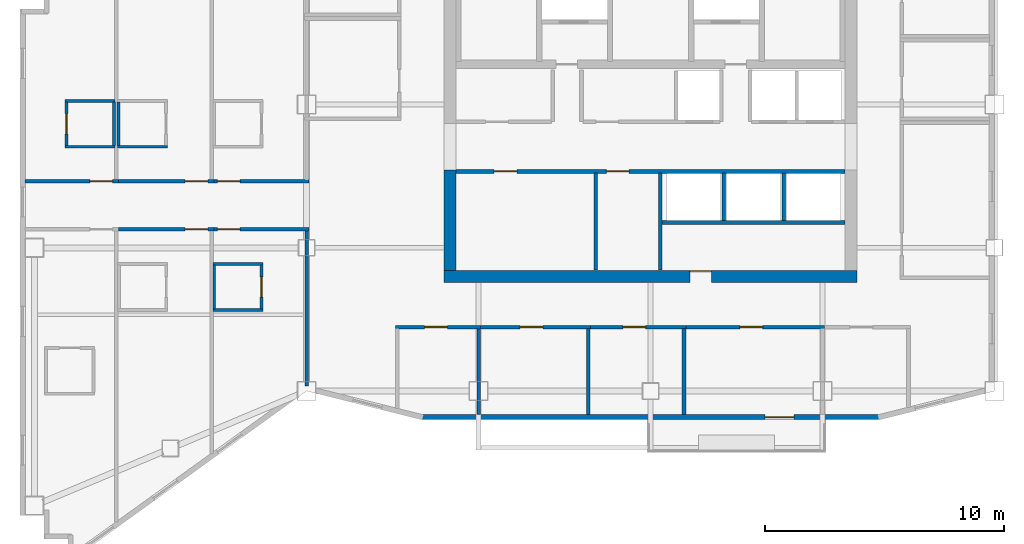
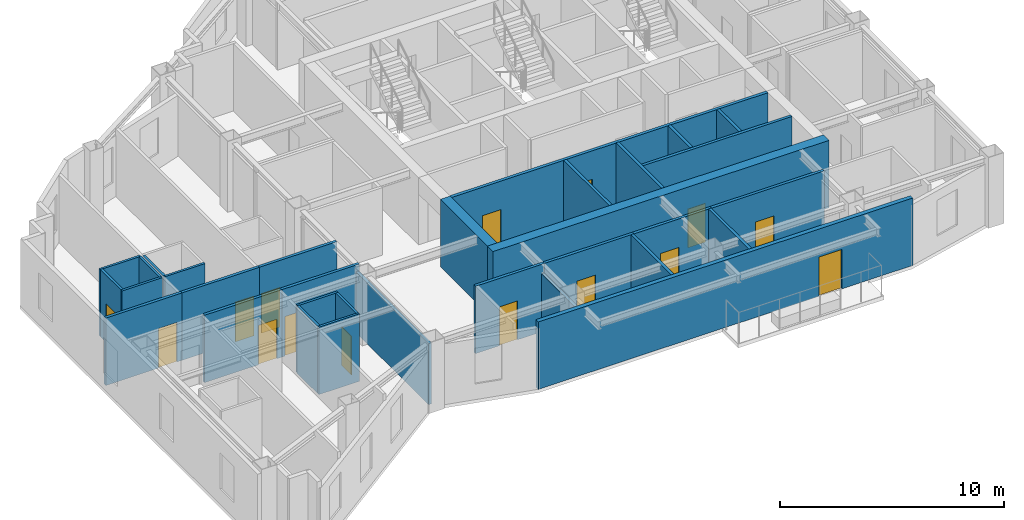
# One storey, part 5 of 10: 32 walls, 15 doors, 15 openings.
"""IFC4 building model written with IfcOpenShell, lengths in metres."""

from ifc_helpers import new_model, si_unit, direction, frame, frame_2d, origin, place, context, subcontext, project, spatial, rectangle, extrude, material, layer, layer_set, type_object, element, fill, save


model = new_model("IFC4")

# Units and contexts
model_context = context("Model", 3, precision=1e-05, world=origin(), true_north=direction((0.0, 1.0)))
body_context = subcontext(model_context, "Body", "Model", "MODEL_VIEW")
ifc_project = project(units=[si_unit("LENGTHUNIT", "METRE"), si_unit("AREAUNIT", "SQUARE_METRE"), si_unit("VOLUMEUNIT", "CUBIC_METRE"), si_unit("PLANEANGLEUNIT", "RADIAN"), si_unit("MASSUNIT", "GRAM", prefix="KILO")], contexts=[model_context])

# Site, building, storey
site_placement = place(None, origin())
site = spatial("IfcSite", under=ifc_project, at=site_placement, CompositionType="ELEMENT")
building_placement = place(site_placement, origin())
building = spatial("IfcBuilding", under=site, at=building_placement, Name="Haolan Belvedere Tower", CompositionType="ELEMENT")
storey_placement = place(building_placement, frame((0.0, 0.0, 258.300048828125)))
storey = spatial("IfcBuildingStorey", under=building, at=storey_placement, Name="L65", CompositionType="ELEMENT", Elevation=258.300048828125)

# Wall, opening, door
ifc_material_1 = material(Name="Concrete C50/60", Category="concrete")
ifc_layer_1 = layer(ifc_material_1, 0.5, Name="Concrete C50/60")
ifc_layer_set_1 = layer_set([ifc_layer_1], Name="Concrete C50/60")
wall_type_1 = type_object("IfcWallType", Name="WL-CORE-500", PredefinedType="SHEAR", material=ifc_layer_set_1)
wall_1_placement = place(storey_placement, frame((29.75, 26.39990234375, 0.0), z_axis=(0.0, 0.0, 1.0), x_axis=(1.0, 0.0, 0.0)))
wall_1 = element("IfcWall", 1, at=wall_1_placement, inside=storey, type_object=wall_type_1, Name="L65 central core south shear wall", PredefinedType="SHEAR", context=body_context, shape_type="SweptSolid", body=[
    extrude(rectangle(XDim=17.300048828125, YDim=0.5, at=frame_2d((8.64990234375, 0.0))), origin(), (0.0, 0.0, 1.0), 3.669921875),
])
opening_1_placement = place(wall_1_placement, frame((11.199951171875, 0.0, 0.0), z_axis=(0.0, 0.0, 1.0), x_axis=(-1.0, 0.0, 0.0)))
opening_1 = element("IfcOpeningElement", 2, at=opening_1_placement, cuts=wall_1, Name="Opening FD-05", PredefinedType="OPENING", context=body_context, shape_type="SweptSolid", body=[
    extrude(rectangle(XDim=0.89990234375, YDim=2.10009765625, at=frame_2d((0.449951171875, 1.050048828125))), frame((0.0, 0.260009765625, 0.0), z_axis=(0.0, -1.0, 0.0), x_axis=(1.0, 0.0, 0.0)), (0.0, 0.0, 1.0), 0.52001953125),
])
ifc_material_2 = material(Name="Galvanised fire-rated steel", Category="steel")
door_type_1 = type_object("IfcDoorType", Name="DR-FD60-900", OperationType="NOTDEFINED", PredefinedType="DOOR", material=ifc_material_2)
door_1_placement = place(opening_1_placement, origin())
door_1 = element("IfcDoor", 3, at=door_1_placement, inside=storey, type_object=door_type_1, Name="L65 door CD-L65-SCVE", OperationType="SINGLE_SWING_RIGHT", OverallHeight=2.10009765625, OverallWidth=0.89990234375, PredefinedType="DOOR", context=body_context, shape_type="SweptSolid", body=[
    extrude(rectangle(XDim=0.89990234375, YDim=2.10009765625, at=frame_2d((0.449951171875, 1.050048828125))), frame((0.0, -0.19482421875, 0.0), z_axis=(0.0, -1.0, 0.0), x_axis=(1.0, 0.0, 0.0)), (0.0, 0.0, 1.0), 0.050048828125),
])
fill(opening_1, door_1)

# Wall
wall_2_placement = place(storey_placement, frame((30.0, 26.64990234375, 0.0), z_axis=(0.0, 0.0, 1.0), x_axis=(0.0, 1.0, 0.0)))
element("IfcWall", 4, at=wall_2_placement, inside=storey, type_object=wall_type_1, Name="L65 central core shear wall WS", PredefinedType="SHEAR", context=body_context, shape_type="SweptSolid", body=[
    extrude(rectangle(XDim=4.2001953125, YDim=0.5, at=frame_2d((2.10009765625, 0.0))), origin(), (0.0, 0.0, 1.0), 3.669921875),
])

# Wall, opening, door
ifc_material_3 = material(Name="Precast concrete C40/50", Category="concrete")
ifc_layer_2 = layer(ifc_material_3, 0.219970703125, Name="Precast concrete C40/50")
ifc_layer_set_2 = layer_set([ifc_layer_2], Name="Precast concrete C40/50")
wall_type_2 = type_object("IfcWallType", Name="WL-EXT-220", PredefinedType="SOLIDWALL", material=ifc_layer_set_2)
wall_3_placement = place(storey_placement, frame((28.758544921875, 20.510009765625, 0.0), z_axis=(0.0, 0.0, 1.0), x_axis=(1.0, 0.0, 0.0)))
wall_3 = element("IfcWall", 5, at=wall_3_placement, inside=storey, type_object=wall_type_2, Name="L65 pale-metal exterior spandrel wall 1.1", PredefinedType="SOLIDWALL", context=body_context, shape_type="SweptSolid", body=[
    extrude(rectangle(XDim=19.282958984375, YDim=0.219970703125, at=frame_2d((9.6416015625, 0.0))), origin(), (0.0, 0.0, 1.0), 3.669921875),
])
opening_2_placement = place(wall_3_placement, frame((15.641357421875, 0.0, 0.0), z_axis=(0.0, 0.0, 1.0), x_axis=(-1.0, 0.0, 0.0)))
opening_2 = element("IfcOpeningElement", 6, at=opening_2_placement, cuts=wall_3, Name="Opening BD-01", PredefinedType="OPENING", context=body_context, shape_type="SweptSolid", body=[
    extrude(rectangle(XDim=1.199951171875, YDim=2.14990234375, at=frame_2d((0.60009765625, 1.074951171875))), frame((0.0, 0.119873046875, 0.0), z_axis=(0.0, -1.0, 0.0), x_axis=(1.0, 0.0, 0.0)), (0.0, 0.0, 1.0), 0.239990234375),
])
ifc_material_4 = material(Name="Thermally broken pale-metal aluminium and Low-E glass", Category="aluminium")
door_type_2 = type_object("IfcDoorType", Name="DR-BAL-1200", OperationType="NOTDEFINED", PredefinedType="DOOR", material=ifc_material_4)
door_2_placement = place(opening_2_placement, origin())
door_2 = element("IfcDoor", 7, at=door_2_placement, inside=storey, type_object=door_type_2, Name="L65 tree-balcony access door 1", OperationType="SINGLE_SWING_LEFT", OverallHeight=2.14990234375, OverallWidth=1.199951171875, PredefinedType="DOOR", context=body_context, shape_type="SweptSolid", body=[
    extrude(rectangle(XDim=1.199951171875, YDim=2.14990234375, at=frame_2d((0.60009765625, 1.074951171875))), frame((0.0, 0.02490234375, 0.0), z_axis=(0.0, -1.0, 0.0), x_axis=(1.0, 0.0, 0.0)), (0.0, 0.0, 1.0), 0.050048828125),
])
fill(opening_2, door_2)

# Walls
ifc_material_5 = material(Name="Double gypsum acoustic stud partition", Category="masonry")
ifc_layer_3 = layer(ifc_material_5, 0.14990234375, Name="Double gypsum acoustic stud partition")
ifc_layer_set_3 = layer_set([ifc_layer_3], Name="Double gypsum acoustic stud partition")
wall_type_3 = type_object("IfcWallType", Name="WL-PART-150", PredefinedType="PARTITIONING", material=ifc_layer_set_3)
wall_4_placement = place(storey_placement, frame((36.10009765625, 26.659912109375, 0.0), z_axis=(0.0, 0.0, 1.0), x_axis=(0.0, 1.0, 0.0)))
element("IfcWall", 8, at=wall_4_placement, inside=storey, type_object=wall_type_3, Name="L65 interior partition IW-L65-DIV-REUSE-PM", PredefinedType="PARTITIONING", context=body_context, shape_type="SweptSolid", body=[
    extrude(rectangle(XDim=4.0751953125, YDim=0.14990234375, at=frame_2d((2.03759765625, 0.0))), origin(), (0.0, 0.0, 1.0), 3.669921875),
])
wall_5_placement = place(storey_placement, frame((38.860107421875, 28.659912109375, 0.0), z_axis=(0.0, 0.0, 1.0), x_axis=(1.0, 0.0, 0.0)))
element("IfcWall", 9, at=wall_5_placement, inside=storey, type_object=wall_type_3, Name="L65 interior partition IW-L65-SSTRIP-E", PredefinedType="PARTITIONING", context=body_context, shape_type="SweptSolid", body=[
    extrude(rectangle(XDim=7.68994140625, YDim=0.14990234375, at=frame_2d((3.844970703125, 0.0))), origin(), (0.0, 0.0, 1.0), 3.669921875),
])

# Wall, opening, door
wall_6_placement = place(storey_placement, frame((27.719970703125, 24.280029296875, 0.0), z_axis=(0.0, 0.0, 1.0), x_axis=(1.0, 0.0, 0.0)))
wall_6 = element("IfcWall", 10, at=wall_6_placement, inside=storey, type_object=wall_type_3, Name="L65 interior partition IW-L65-KS2-N", PredefinedType="PARTITIONING", context=body_context, shape_type="SweptSolid", body=[
    extrude(rectangle(XDim=3.56005859375, YDim=0.14990234375, at=frame_2d((1.780029296875, 0.0))), origin(), (0.0, 0.0, 1.0), 3.669921875),
])
opening_3_placement = place(wall_6_placement, frame((2.175048828125, 0.0, 0.0), z_axis=(0.0, 0.0, 1.0), x_axis=(-1.0, 0.0, 0.0)))
opening_3 = element("IfcOpeningElement", 11, at=opening_3_placement, cuts=wall_6, Name="Opening ID-03", PredefinedType="OPENING", context=body_context, shape_type="SweptSolid", body=[
    extrude(rectangle(XDim=0.949951171875, YDim=2.1201171875, at=frame_2d((0.47509765625, 1.06005859375))), frame((0.0, 0.0849609375, 0.0), z_axis=(0.0, -1.0, 0.0), x_axis=(1.0, 0.0, 0.0)), (0.0, 0.0, 1.0), 0.169921875),
])
ifc_material_6 = material(Name="Painted solid-core timber", Category="wood")
door_type_3 = type_object("IfcDoorType", Name="DR-INT-950", OperationType="NOTDEFINED", PredefinedType="DOOR", material=ifc_material_6)
door_3_placement = place(opening_3_placement, origin())
door_3 = element("IfcDoor", 12, at=door_3_placement, inside=storey, type_object=door_type_3, Name="L65 door ID-L65-KS2", OperationType="SINGLE_SWING_RIGHT", OverallHeight=2.1201171875, OverallWidth=0.949951171875, PredefinedType="DOOR", context=body_context, shape_type="SweptSolid", body=[
    extrude(rectangle(XDim=0.949951171875, YDim=2.1201171875, at=frame_2d((0.47509765625, 1.06005859375))), frame((0.0, 0.02490234375, 0.0), z_axis=(0.0, -1.0, 0.0), x_axis=(1.0, 0.0, 0.0)), (0.0, 0.0, 1.0), 0.050048828125),
])
fill(opening_3, door_3)

# Wall
wall_7_placement = place(storey_placement, frame((31.199951171875, 20.612060546875, 0.0), z_axis=(0.0, 0.0, 1.0), x_axis=(0.0, 1.0, 0.0)))
element("IfcWall", 13, at=wall_7_placement, inside=storey, type_object=wall_type_3, Name="L65 interior partition IW-L65-KS2-E", PredefinedType="PARTITIONING", context=body_context, shape_type="SweptSolid", body=[
    extrude(rectangle(XDim=3.60791015625, YDim=0.14990234375, at=frame_2d((1.803955078125, 0.0))), origin(), (0.0, 0.0, 1.0), 3.155029296875),
])

# Wall, opening, door
wall_8_placement = place(storey_placement, frame((31.281982421875, 24.280029296875, 0.0), z_axis=(0.0, 0.0, 1.0), x_axis=(1.0, 0.0, 0.0)))
wall_8 = element("IfcWall", 14, at=wall_8_placement, inside=storey, type_object=wall_type_3, Name="L65 interior partition IW-L65-KS3-N", PredefinedType="PARTITIONING", context=body_context, shape_type="SweptSolid", body=[
    extrude(rectangle(XDim=4.597900390625, YDim=0.14990234375, at=frame_2d((2.298828125, 0.0))), origin(), (0.0, 0.0, 1.0), 3.669921875),
])
opening_4_placement = place(wall_8_placement, frame((2.613037109375, 0.0, 0.0), z_axis=(0.0, 0.0, 1.0), x_axis=(-1.0, 0.0, 0.0)))
opening_4 = element("IfcOpeningElement", 15, at=opening_4_placement, cuts=wall_8, Name="Opening ID-03", PredefinedType="OPENING", context=body_context, shape_type="SweptSolid", body=[
    extrude(rectangle(XDim=0.949951171875, YDim=2.1201171875, at=frame_2d((0.47509765625, 1.06005859375))), frame((0.0, 0.0849609375, 0.0), z_axis=(0.0, -1.0, 0.0), x_axis=(1.0, 0.0, 0.0)), (0.0, 0.0, 1.0), 0.169921875),
])
door_4_placement = place(opening_4_placement, origin())
door_4 = element("IfcDoor", 16, at=door_4_placement, inside=storey, type_object=door_type_3, Name="L65 door ID-L65-KS3", OperationType="SINGLE_SWING_LEFT", OverallHeight=2.1201171875, OverallWidth=0.949951171875, PredefinedType="DOOR", context=body_context, shape_type="SweptSolid", body=[
    extrude(rectangle(XDim=0.949951171875, YDim=2.1201171875, at=frame_2d((0.47509765625, 1.06005859375))), frame((0.0, 0.02490234375, 0.0), z_axis=(0.0, -1.0, 0.0), x_axis=(1.0, 0.0, 0.0)), (0.0, 0.0, 1.0), 0.050048828125),
])
fill(opening_4, door_4)

# Wall
wall_9_placement = place(storey_placement, frame((35.800048828125, 20.612060546875, 0.0), z_axis=(0.0, 0.0, 1.0), x_axis=(0.0, 1.0, 0.0)))
element("IfcWall", 17, at=wall_9_placement, inside=storey, type_object=wall_type_3, Name="L65 interior partition IW-L65-KS3-E", PredefinedType="PARTITIONING", context=body_context, shape_type="SweptSolid", body=[
    extrude(rectangle(XDim=3.60791015625, YDim=0.14990234375, at=frame_2d((1.803955078125, 0.0))), origin(), (0.0, 0.0, 1.0), 3.669921875),
])

# Wall, opening, door
wall_10_placement = place(storey_placement, frame((35.882080078125, 24.280029296875, 0.0), z_axis=(0.0, 0.0, 1.0), x_axis=(1.0, 0.0, 0.0)))
wall_10 = element("IfcWall", 18, at=wall_10_placement, inside=storey, type_object=wall_type_3, Name="L65 interior partition IW-L65-KS4-N", PredefinedType="PARTITIONING", context=body_context, shape_type="SweptSolid", body=[
    extrude(rectangle(XDim=3.997802734375, YDim=0.14990234375, at=frame_2d((1.9990234375, 0.0))), origin(), (0.0, 0.0, 1.0), 3.669921875),
])
opening_5_placement = place(wall_10_placement, frame((2.31298828125, 0.0, 0.0), z_axis=(0.0, 0.0, 1.0), x_axis=(-1.0, 0.0, 0.0)))
opening_5 = element("IfcOpeningElement", 19, at=opening_5_placement, cuts=wall_10, Name="Opening ID-03", PredefinedType="OPENING", context=body_context, shape_type="SweptSolid", body=[
    extrude(rectangle(XDim=0.949951171875, YDim=2.1201171875, at=frame_2d((0.47509765625, 1.06005859375))), frame((0.0, 0.0849609375, 0.0), z_axis=(0.0, -1.0, 0.0), x_axis=(1.0, 0.0, 0.0)), (0.0, 0.0, 1.0), 0.169921875),
])
door_5_placement = place(opening_5_placement, origin())
door_5 = element("IfcDoor", 20, at=door_5_placement, inside=storey, type_object=door_type_3, Name="L65 door ID-L65-KS4", OperationType="SINGLE_SWING_RIGHT", OverallHeight=2.1201171875, OverallWidth=0.949951171875, PredefinedType="DOOR", context=body_context, shape_type="SweptSolid", body=[
    extrude(rectangle(XDim=0.949951171875, YDim=2.1201171875, at=frame_2d((0.47509765625, 1.06005859375))), frame((0.0, 0.02490234375, 0.0), z_axis=(0.0, -1.0, 0.0), x_axis=(1.0, 0.0, 0.0)), (0.0, 0.0, 1.0), 0.050048828125),
])
fill(opening_5, door_5)

# Wall
wall_11_placement = place(storey_placement, frame((39.800048828125, 20.612060546875, 0.0), z_axis=(0.0, 0.0, 1.0), x_axis=(0.0, 1.0, 0.0)))
element("IfcWall", 21, at=wall_11_placement, inside=storey, type_object=wall_type_3, Name="L65 interior partition IW-L65-KS4-E", PredefinedType="PARTITIONING", context=body_context, shape_type="SweptSolid", body=[
    extrude(rectangle(XDim=3.60791015625, YDim=0.14990234375, at=frame_2d((1.803955078125, 0.0))), origin(), (0.0, 0.0, 1.0), 3.669921875),
])

# Wall, opening, door
wall_12_placement = place(storey_placement, frame((39.882080078125, 24.280029296875, 0.0), z_axis=(0.0, 0.0, 1.0), x_axis=(1.0, 0.0, 0.0)))
wall_12 = element("IfcWall", 22, at=wall_12_placement, inside=storey, type_object=wall_type_3, Name="L65 interior partition IW-L65-KS5-N", PredefinedType="PARTITIONING", context=body_context, shape_type="SweptSolid", body=[
    extrude(rectangle(XDim=5.7978515625, YDim=0.14990234375, at=frame_2d((2.89892578125, 0.0))), origin(), (0.0, 0.0, 1.0), 3.669921875),
])
opening_6_placement = place(wall_12_placement, frame((3.212890625, 0.0, 0.0), z_axis=(0.0, 0.0, 1.0), x_axis=(-1.0, 0.0, 0.0)))
opening_6 = element("IfcOpeningElement", 23, at=opening_6_placement, cuts=wall_12, Name="Opening ID-03", PredefinedType="OPENING", context=body_context, shape_type="SweptSolid", body=[
    extrude(rectangle(XDim=0.949951171875, YDim=2.1201171875, at=frame_2d((0.47509765625, 1.06005859375))), frame((0.0, 0.0849609375, 0.0), z_axis=(0.0, -1.0, 0.0), x_axis=(1.0, 0.0, 0.0)), (0.0, 0.0, 1.0), 0.169921875),
])
door_6_placement = place(opening_6_placement, origin())
door_6 = element("IfcDoor", 24, at=door_6_placement, inside=storey, type_object=door_type_3, Name="L65 door ID-L65-KS5", OperationType="SINGLE_SWING_LEFT", OverallHeight=2.1201171875, OverallWidth=0.949951171875, PredefinedType="DOOR", context=body_context, shape_type="SweptSolid", body=[
    extrude(rectangle(XDim=0.949951171875, YDim=2.1201171875, at=frame_2d((0.47509765625, 1.06005859375))), frame((0.0, 0.02490234375, 0.0), z_axis=(0.0, -1.0, 0.0), x_axis=(1.0, 0.0, 0.0)), (0.0, 0.0, 1.0), 0.050048828125),
])
fill(opening_6, door_6)

wall_13_placement = place(storey_placement, frame((12.2119140625, 30.3798828125, 0.0), z_axis=(0.0, 0.0, 1.0), x_axis=(1.0, 0.0, 0.0)))
wall_13 = element("IfcWall", 25, at=wall_13_placement, inside=storey, type_object=wall_type_3, Name="L65 interior partition IW-L65-T2N1-S", PredefinedType="PARTITIONING", context=body_context, shape_type="SweptSolid", body=[
    extrude(rectangle(XDim=3.91796875, YDim=0.14990234375, at=frame_2d((1.958984375, 0.0))), origin(), (0.0, 0.0, 1.0), 3.669921875),
])
opening_7_placement = place(wall_13_placement, frame((2.71337890625, 0.0, 0.0)))
opening_7 = element("IfcOpeningElement", 26, at=opening_7_placement, cuts=wall_13, Name="Opening ID-02", PredefinedType="OPENING", context=body_context, shape_type="SweptSolid", body=[
    extrude(rectangle(XDim=0.949951171875, YDim=2.14990234375, at=frame_2d((0.47509765625, 1.074951171875))), frame((0.0, 0.0849609375, 0.0), z_axis=(0.0, -1.0, 0.0), x_axis=(1.0, 0.0, 0.0)), (0.0, 0.0, 1.0), 0.169921875),
])
ifc_material_7 = material(Name="Acoustic oak veneer fire-rated timber", Category="wood")
door_type_4 = type_object("IfcDoorType", Name="DR-GUEST-950", OperationType="NOTDEFINED", PredefinedType="DOOR", material=ifc_material_7)
door_7_placement = place(opening_7_placement, origin())
door_7 = element("IfcDoor", 27, at=door_7_placement, inside=storey, type_object=door_type_4, Name="L65 door ID-L65-T2N1-ENT", OperationType="SINGLE_SWING_RIGHT", OverallHeight=2.14990234375, OverallWidth=0.949951171875, PredefinedType="DOOR", context=body_context, shape_type="SweptSolid", body=[
    extrude(rectangle(XDim=0.949951171875, YDim=2.14990234375, at=frame_2d((0.47509765625, 1.074951171875))), frame((0.0, 0.02490234375, 0.0), z_axis=(0.0, -1.0, 0.0), x_axis=(1.0, 0.0, 0.0)), (0.0, 0.0, 1.0), 0.050048828125),
])
fill(opening_7, door_7)

wall_14_placement = place(storey_placement, frame((16.132080078125, 30.3798828125, 0.0), z_axis=(0.0, 0.0, 1.0), x_axis=(1.0, 0.0, 0.0)))
wall_14 = element("IfcWall", 28, at=wall_14_placement, inside=storey, type_object=wall_type_3, Name="L65 interior partition IW-L65-T2N2-S", PredefinedType="PARTITIONING", context=body_context, shape_type="SweptSolid", body=[
    extrude(rectangle(XDim=3.988037109375, YDim=0.14990234375, at=frame_2d((1.994140625, 0.0))), origin(), (0.0, 0.0, 1.0), 3.669921875),
])
opening_8_placement = place(wall_14_placement, frame((2.781005859375, 0.0, 0.0)))
opening_8 = element("IfcOpeningElement", 29, at=opening_8_placement, cuts=wall_14, Name="Opening ID-02", PredefinedType="OPENING", context=body_context, shape_type="SweptSolid", body=[
    extrude(rectangle(XDim=0.949951171875, YDim=2.14990234375, at=frame_2d((0.47509765625, 1.074951171875))), frame((0.0, 0.0849609375, 0.0), z_axis=(0.0, -1.0, 0.0), x_axis=(1.0, 0.0, 0.0)), (0.0, 0.0, 1.0), 0.169921875),
])
door_8_placement = place(opening_8_placement, origin())
door_8 = element("IfcDoor", 30, at=door_8_placement, inside=storey, type_object=door_type_4, Name="L65 door ID-L65-T2N2-ENT", OperationType="SINGLE_SWING_LEFT", OverallHeight=2.14990234375, OverallWidth=0.949951171875, PredefinedType="DOOR", context=body_context, shape_type="SweptSolid", body=[
    extrude(rectangle(XDim=0.949951171875, YDim=2.14990234375, at=frame_2d((0.47509765625, 1.074951171875))), frame((0.0, 0.02490234375, 0.0), z_axis=(0.0, -1.0, 0.0), x_axis=(1.0, 0.0, 0.0)), (0.0, 0.0, 1.0), 0.050048828125),
])
fill(opening_8, door_8)

wall_15_placement = place(storey_placement, frame((20.1220703125, 30.3798828125, 0.0), z_axis=(0.0, 0.0, 1.0), x_axis=(1.0, 0.0, 0.0)))
wall_15 = element("IfcWall", 31, at=wall_15_placement, inside=storey, type_object=wall_type_3, Name="L65 interior partition IW-L65-T2N3-S", PredefinedType="PARTITIONING", context=body_context, shape_type="SweptSolid", body=[
    extrude(rectangle(XDim=3.97802734375, YDim=0.14990234375, at=frame_2d((1.989013671875, 0.0))), origin(), (0.0, 0.0, 1.0), 3.669921875),
])
opening_9_placement = place(wall_15_placement, frame((0.139892578125, 0.0, 0.0)))
opening_9 = element("IfcOpeningElement", 32, at=opening_9_placement, cuts=wall_15, Name="Opening ID-02", PredefinedType="OPENING", context=body_context, shape_type="SweptSolid", body=[
    extrude(rectangle(XDim=0.949951171875, YDim=2.14990234375, at=frame_2d((0.47509765625, 1.074951171875))), frame((0.0, 0.0849609375, 0.0), z_axis=(0.0, -1.0, 0.0), x_axis=(1.0, 0.0, 0.0)), (0.0, 0.0, 1.0), 0.169921875),
])
door_9_placement = place(opening_9_placement, origin())
door_9 = element("IfcDoor", 33, at=door_9_placement, inside=storey, type_object=door_type_4, Name="L65 door ID-L65-T2N3-ENT", OperationType="SINGLE_SWING_RIGHT", OverallHeight=2.14990234375, OverallWidth=0.949951171875, PredefinedType="DOOR", context=body_context, shape_type="SweptSolid", body=[
    extrude(rectangle(XDim=0.949951171875, YDim=2.14990234375, at=frame_2d((0.47509765625, 1.074951171875))), frame((0.0, 0.02490234375, 0.0), z_axis=(0.0, -1.0, 0.0), x_axis=(1.0, 0.0, 0.0)), (0.0, 0.0, 1.0), 0.050048828125),
])
fill(opening_9, door_9)

wall_16_placement = place(storey_placement, frame((16.132080078125, 28.3701171875, 0.0), z_axis=(0.0, 0.0, 1.0), x_axis=(1.0, 0.0, 0.0)))
wall_16 = element("IfcWall", 34, at=wall_16_placement, inside=storey, type_object=wall_type_3, Name="L65 interior partition IW-L65-T2S2-N", PredefinedType="PARTITIONING", context=body_context, shape_type="SweptSolid", body=[
    extrude(rectangle(XDim=3.988037109375, YDim=0.14990234375, at=frame_2d((1.994140625, 0.0))), origin(), (0.0, 0.0, 1.0), 3.669921875),
])
opening_10_placement = place(wall_16_placement, frame((3.73095703125, 0.0, 0.0), z_axis=(0.0, 0.0, 1.0), x_axis=(-1.0, 0.0, 0.0)))
opening_10 = element("IfcOpeningElement", 35, at=opening_10_placement, cuts=wall_16, Name="Opening ID-02", PredefinedType="OPENING", context=body_context, shape_type="SweptSolid", body=[
    extrude(rectangle(XDim=0.949951171875, YDim=2.14990234375, at=frame_2d((0.47509765625, 1.074951171875))), frame((0.0, 0.0849609375, 0.0), z_axis=(0.0, -1.0, 0.0), x_axis=(1.0, 0.0, 0.0)), (0.0, 0.0, 1.0), 0.169921875),
])
door_10_placement = place(opening_10_placement, origin())
door_10 = element("IfcDoor", 36, at=door_10_placement, inside=storey, type_object=door_type_4, Name="L65 door ID-L65-T2S2-ENT", OperationType="SINGLE_SWING_RIGHT", OverallHeight=2.14990234375, OverallWidth=0.949951171875, PredefinedType="DOOR", context=body_context, shape_type="SweptSolid", body=[
    extrude(rectangle(XDim=0.949951171875, YDim=2.14990234375, at=frame_2d((0.47509765625, 1.074951171875))), frame((0.0, 0.02490234375, 0.0), z_axis=(0.0, -1.0, 0.0), x_axis=(1.0, 0.0, 0.0)), (0.0, 0.0, 1.0), 0.050048828125),
])
fill(opening_10, door_10)

wall_17_placement = place(storey_placement, frame((20.1220703125, 28.3701171875, 0.0), z_axis=(0.0, 0.0, 1.0), x_axis=(1.0, 0.0, 0.0)))
wall_17 = element("IfcWall", 37, at=wall_17_placement, inside=storey, type_object=wall_type_3, Name="L65 interior partition IW-L65-T2S3-N", PredefinedType="PARTITIONING", context=body_context, shape_type="SweptSolid", body=[
    extrude(rectangle(XDim=3.97802734375, YDim=0.14990234375, at=frame_2d((1.989013671875, 0.0))), origin(), (0.0, 0.0, 1.0), 3.669921875),
])
opening_11_placement = place(wall_17_placement, frame((1.08984375, 0.0, 0.0), z_axis=(0.0, 0.0, 1.0), x_axis=(-1.0, 0.0, 0.0)))
opening_11 = element("IfcOpeningElement", 38, at=opening_11_placement, cuts=wall_17, Name="Opening ID-02", PredefinedType="OPENING", context=body_context, shape_type="SweptSolid", body=[
    extrude(rectangle(XDim=0.949951171875, YDim=2.14990234375, at=frame_2d((0.47509765625, 1.074951171875))), frame((0.0, 0.0849609375, 0.0), z_axis=(0.0, -1.0, 0.0), x_axis=(1.0, 0.0, 0.0)), (0.0, 0.0, 1.0), 0.169921875),
])
door_11_placement = place(opening_11_placement, origin())
door_11 = element("IfcDoor", 39, at=door_11_placement, inside=storey, type_object=door_type_4, Name="L65 door ID-L65-T2S3-ENT", OperationType="SINGLE_SWING_LEFT", OverallHeight=2.14990234375, OverallWidth=0.949951171875, PredefinedType="DOOR", context=body_context, shape_type="SweptSolid", body=[
    extrude(rectangle(XDim=0.949951171875, YDim=2.14990234375, at=frame_2d((0.47509765625, 1.074951171875))), frame((0.0, 0.02490234375, 0.0), z_axis=(0.0, -1.0, 0.0), x_axis=(1.0, 0.0, 0.0)), (0.0, 0.0, 1.0), 0.050048828125),
])
fill(opening_11, door_11)

# Wall
wall_18_placement = place(storey_placement, frame((24.0, 21.818603515625, 0.0), z_axis=(0.0, 0.0, 1.0), x_axis=(0.0, 1.0, 0.0)))
element("IfcWall", 40, at=wall_18_placement, inside=storey, type_object=wall_type_3, Name="L65 interior partition IW-L65-T2S3-E", PredefinedType="PARTITIONING", context=body_context, shape_type="SweptSolid", body=[
    extrude(rectangle(XDim=6.491455078125, YDim=0.14990234375, at=frame_2d((3.24560546875, 0.0))), origin(), (0.0, 0.0, 1.0), 3.31494140625),
])

# Wall, openings, doors
ifc_material_8 = material(Name="Gypsum fire shaftwall assembly", Category="masonry")
ifc_layer_4 = layer(ifc_material_8, 0.1650390625, Name="Gypsum fire shaftwall assembly")
ifc_layer_set_4 = layer_set([ifc_layer_4], Name="Gypsum fire shaftwall assembly")
wall_type_4 = type_object("IfcWallType", Name="WL-SHAFT-160", PredefinedType="SOLIDWALL", material=ifc_layer_set_4)
wall_19_placement = place(storey_placement, frame((30.25, 30.800048828125, 0.0), z_axis=(0.0, 0.0, 1.0), x_axis=(1.0, 0.0, 0.0)))
wall_19 = element("IfcWall", 41, at=wall_19_placement, inside=storey, type_object=wall_type_4, Name="L65 interior partition IW-L65-ROW-PS", PredefinedType="SOLIDWALL", context=body_context, shape_type="SweptSolid", body=[
    extrude(rectangle(XDim=16.300048828125, YDim=0.159912109375, at=frame_2d((8.14990234375, 0.0))), origin(), (0.0, 0.0, 1.0), 3.669921875),
])
opening_12_placement = place(wall_19_placement, frame((1.60009765625, 0.0, 0.0)))
opening_12 = element("IfcOpeningElement", 42, at=opening_12_placement, cuts=wall_19, Name="Opening ID-03", PredefinedType="OPENING", context=body_context, shape_type="SweptSolid", body=[
    extrude(rectangle(XDim=0.949951171875, YDim=2.1201171875, at=frame_2d((0.47509765625, 1.06005859375))), frame((0.0, 0.08984375, 0.0), z_axis=(0.0, -1.0, 0.0), x_axis=(1.0, 0.0, 0.0)), (0.0, 0.0, 1.0), 0.179931640625),
])
opening_13_placement = place(wall_19_placement, frame((6.300048828125, 0.0, 0.0)))
opening_13 = element("IfcOpeningElement", 43, at=opening_13_placement, cuts=wall_19, Name="Opening ID-03", PredefinedType="OPENING", context=body_context, shape_type="SweptSolid", body=[
    extrude(rectangle(XDim=0.949951171875, YDim=2.1201171875, at=frame_2d((0.47509765625, 1.06005859375))), frame((0.0, 0.08984375, 0.0), z_axis=(0.0, -1.0, 0.0), x_axis=(1.0, 0.0, 0.0)), (0.0, 0.0, 1.0), 0.179931640625),
])
door_12_placement = place(opening_12_placement, origin())
door_12 = element("IfcDoor", 44, at=door_12_placement, inside=storey, type_object=door_type_3, Name="L65 door ID-L65-CD-RPMA", OperationType="SINGLE_SWING_LEFT", OverallHeight=2.1201171875, OverallWidth=0.949951171875, PredefinedType="DOOR", context=body_context, shape_type="SweptSolid", body=[
    extrude(rectangle(XDim=0.949951171875, YDim=2.1201171875, at=frame_2d((0.47509765625, 1.06005859375))), frame((0.0, 0.02490234375, 0.0), z_axis=(0.0, -1.0, 0.0), x_axis=(1.0, 0.0, 0.0)), (0.0, 0.0, 1.0), 0.050048828125),
])
fill(opening_12, door_12)
door_13_placement = place(opening_13_placement, origin())
door_13 = element("IfcDoor", 45, at=door_13_placement, inside=storey, type_object=door_type_3, Name="L65 door ID-L65-CD-RPMB", OperationType="SINGLE_SWING_RIGHT", OverallHeight=2.1201171875, OverallWidth=0.949951171875, PredefinedType="DOOR", context=body_context, shape_type="SweptSolid", body=[
    extrude(rectangle(XDim=0.949951171875, YDim=2.1201171875, at=frame_2d((0.47509765625, 1.06005859375))), frame((0.0, 0.02490234375, 0.0), z_axis=(0.0, -1.0, 0.0), x_axis=(1.0, 0.0, 0.0)), (0.0, 0.0, 1.0), 0.050048828125),
])
fill(opening_13, door_13)

# Walls
wall_20_placement = place(storey_placement, frame((38.800048828125, 26.659912109375, 0.0), z_axis=(0.0, 0.0, 1.0), x_axis=(0.0, 1.0, 0.0)))
element("IfcWall", 46, at=wall_20_placement, inside=storey, type_object=wall_type_4, Name="L65 interior partition IW-L65-DIV-PM-OB", PredefinedType="SOLIDWALL", context=body_context, shape_type="SweptSolid", body=[
    extrude(rectangle(XDim=4.0751953125, YDim=0.14990234375, at=frame_2d((2.03759765625, 0.0))), origin(), (0.0, 0.0, 1.0), 3.669921875),
])
for number, where, z_axis, x_axis, name in (
    (47, (41.469970703125, 28.75, 0.0), (0.0, 0.0, 1.0), (0.0, 1.0, 0.0), "L65 interior partition IW-L65-DIV-OB1"),
    (48, (43.97998046875, 28.75, 0.0), (0.0, 0.0, 1.0), (0.0, 1.0, 0.0), "L65 interior partition IW-L65-DIV-OB2"),
):
    element("IfcWall", number, at=place(storey_placement, frame(where, z_axis=z_axis, x_axis=x_axis)), inside=storey, type_object=wall_type_4, Name=name, PredefinedType="SOLIDWALL", context=body_context, shape_type="SweptSolid", body=[
        extrude(rectangle(XDim=1.985107421875, YDim=0.14990234375, at=frame_2d((0.99267578125, 0.0))), origin(), (0.0, 0.0, 1.0), 3.669921875),
    ])
ifc_material_9 = material(Name="Moisture-resistant gypsum tile partition", Category="masonry")
ifc_layer_5 = layer(ifc_material_9, 0.1201171875, Name="Moisture-resistant gypsum tile partition")
ifc_layer_set_5 = layer_set([ifc_layer_5], Name="Moisture-resistant gypsum tile partition")
wall_type_5 = type_object("IfcWallType", Name="WL-WET-120", PredefinedType="PARTITIONING", material=ifc_layer_set_5)
for number, where, z_axis, x_axis, name in (
    (49, (13.889892578125, 33.75, 0.0), (0.0, 0.0, 1.0), (1.0, 0.0, 0.0), "L65 interior partition IW-L65-T2N1-BN"),
    (50, (13.889892578125, 31.830078125, 0.0), (0.0, 0.0, 1.0), (1.0, 0.0, 0.0), "L65 interior partition IW-L65-T2N1-BS"),
):
    element("IfcWall", number, at=place(storey_placement, frame(where, z_axis=z_axis, x_axis=x_axis)), inside=storey, type_object=wall_type_5, Name=name, PredefinedType="PARTITIONING", context=body_context, shape_type="SweptSolid", body=[
        extrude(rectangle(XDim=2.080078125, YDim=0.1201171875, at=frame_2d((1.0400390625, 0.0))), origin(), (0.0, 0.0, 1.0), 3.669921875),
    ])

# Wall, opening, door
wall_21_placement = place(storey_placement, frame((13.949951171875, 31.875, 0.0), z_axis=(0.0, 0.0, 1.0), x_axis=(0.0, 1.0, 0.0)))
wall_21 = element("IfcWall", 51, at=wall_21_placement, inside=storey, type_object=wall_type_5, Name="L65 interior partition IW-L65-T2N1-BW", PredefinedType="PARTITIONING", context=body_context, shape_type="SweptSolid", body=[
    extrude(rectangle(XDim=1.830078125, YDim=0.1201171875, at=frame_2d((0.9150390625, 0.0))), origin(), (0.0, 0.0, 1.0), 3.669921875),
])
opening_14_placement = place(wall_21_placement, frame((1.340087890625, 0.0, 0.0), z_axis=(0.0, 0.0, 1.0), x_axis=(-1.0, 0.0, 0.0)))
opening_14 = element("IfcOpeningElement", 52, at=opening_14_placement, cuts=wall_21, Name="Opening ID-05", PredefinedType="OPENING", context=body_context, shape_type="SweptSolid", body=[
    extrude(rectangle(XDim=0.85009765625, YDim=2.10009765625, at=frame_2d((0.425048828125, 1.050048828125))), frame((0.0, 0.070068359375, 0.0), z_axis=(0.0, -1.0, 0.0), x_axis=(1.0, 0.0, 0.0)), (0.0, 0.0, 1.0), 0.14013671875),
])
ifc_material_10 = material(Name="Moisture-resistant lacquered timber", Category="wood")
door_type_5 = type_object("IfcDoorType", Name="DR-BATH-850", OperationType="NOTDEFINED", PredefinedType="DOOR", material=ifc_material_10)
door_14_placement = place(opening_14_placement, origin())
door_14 = element("IfcDoor", 53, at=door_14_placement, inside=storey, type_object=door_type_5, Name="L65 door ID-L65-T2N1-BATH", OperationType="SINGLE_SWING_LEFT", OverallHeight=2.10009765625, OverallWidth=0.85009765625, PredefinedType="DOOR", context=body_context, shape_type="SweptSolid", body=[
    extrude(rectangle(XDim=0.85009765625, YDim=2.10009765625, at=frame_2d((0.425048828125, 1.050048828125))), frame((0.0, 0.02490234375, 0.0), z_axis=(0.0, -1.0, 0.0), x_axis=(1.0, 0.0, 0.0)), (0.0, 0.0, 1.0), 0.050048828125),
])
fill(opening_14, door_14)

# Walls
wall_22_placement = place(storey_placement, frame((15.929931640625, 31.875, 0.0), z_axis=(0.0, 0.0, 1.0), x_axis=(0.0, 1.0, 0.0)))
element("IfcWall", 54, at=wall_22_placement, inside=storey, type_object=wall_type_5, Name="L65 interior partition IW-L65-T2N1-BE", PredefinedType="PARTITIONING", context=body_context, shape_type="SweptSolid", body=[
    extrude(rectangle(XDim=1.830078125, YDim=0.1201171875, at=frame_2d((0.9150390625, 0.0))), origin(), (0.0, 0.0, 1.0), 3.669921875),
])
wall_23_placement = place(storey_placement, frame((16.090087890625, 31.830078125, 0.0), z_axis=(0.0, 0.0, 1.0), x_axis=(1.0, 0.0, 0.0)))
element("IfcWall", 55, at=wall_23_placement, inside=storey, type_object=wall_type_5, Name="L65 interior partition IW-L65-T2N2-BS", PredefinedType="PARTITIONING", context=body_context, shape_type="SweptSolid", body=[
    extrude(rectangle(XDim=2.079833984375, YDim=0.1201171875, at=frame_2d((1.0400390625, 0.0))), origin(), (0.0, 0.0, 1.0), 3.669921875),
])
wall_24_placement = place(storey_placement, frame((16.1298828125, 31.875, 0.0), z_axis=(0.0, 0.0, 1.0), x_axis=(0.0, 1.0, 0.0)))
element("IfcWall", 56, at=wall_24_placement, inside=storey, type_object=wall_type_5, Name="L65 interior partition IW-L65-T2N2-BW", PredefinedType="PARTITIONING", context=body_context, shape_type="SweptSolid", body=[
    extrude(rectangle(XDim=1.830078125, YDim=0.1201171875, at=frame_2d((0.9150390625, 0.0))), origin(), (0.0, 0.0, 1.0), 3.669921875),
])
for number, where, z_axis, x_axis, name in (
    (57, (20.080078125, 26.919921875, 0.0), (0.0, 0.0, 1.0), (1.0, 0.0, 0.0), "L65 interior partition IW-L65-T2S3-BN"),
    (58, (20.080078125, 25.0, 0.0), (0.0, 0.0, 1.0), (1.0, 0.0, 0.0), "L65 interior partition IW-L65-T2S3-BS"),
):
    element("IfcWall", number, at=place(storey_placement, frame(where, z_axis=z_axis, x_axis=x_axis)), inside=storey, type_object=wall_type_5, Name=name, PredefinedType="PARTITIONING", context=body_context, shape_type="SweptSolid", body=[
        extrude(rectangle(XDim=2.094970703125, YDim=0.1201171875, at=frame_2d((1.04736328125, 0.0))), origin(), (0.0, 0.0, 1.0), 3.669921875),
    ])
wall_25_placement = place(storey_placement, frame((20.135009765625, 25.044921875, 0.0), z_axis=(0.0, 0.0, 1.0), x_axis=(0.0, 1.0, 0.0)))
element("IfcWall", 59, at=wall_25_placement, inside=storey, type_object=wall_type_5, Name="L65 interior partition IW-L65-T2S3-BW", PredefinedType="PARTITIONING", context=body_context, shape_type="SweptSolid", body=[
    extrude(rectangle(XDim=1.830078125, YDim=0.1201171875, at=frame_2d((0.9150390625, 0.0))), origin(), (0.0, 0.0, 1.0), 3.669921875),
])

# Wall, opening, door
wall_26_placement = place(storey_placement, frame((22.114990234375, 25.044921875, 0.0), z_axis=(0.0, 0.0, 1.0), x_axis=(0.0, 1.0, 0.0)))
wall_26 = element("IfcWall", 60, at=wall_26_placement, inside=storey, type_object=wall_type_5, Name="L65 interior partition IW-L65-T2S3-BE", PredefinedType="PARTITIONING", context=body_context, shape_type="SweptSolid", body=[
    extrude(rectangle(XDim=1.830078125, YDim=0.1201171875, at=frame_2d((0.9150390625, 0.0))), origin(), (0.0, 0.0, 1.0), 3.669921875),
])
opening_15_placement = place(wall_26_placement, frame((0.489990234375, 0.0, 0.0)))
opening_15 = element("IfcOpeningElement", 61, at=opening_15_placement, cuts=wall_26, Name="Opening ID-05", PredefinedType="OPENING", context=body_context, shape_type="SweptSolid", body=[
    extrude(rectangle(XDim=0.85009765625, YDim=2.10009765625, at=frame_2d((0.425048828125, 1.050048828125))), frame((0.0, 0.070068359375, 0.0), z_axis=(0.0, -1.0, 0.0), x_axis=(1.0, 0.0, 0.0)), (0.0, 0.0, 1.0), 0.14013671875),
])
door_15_placement = place(opening_15_placement, origin())
door_15 = element("IfcDoor", 62, at=door_15_placement, inside=storey, type_object=door_type_5, Name="L65 door ID-L65-T2S3-BATH", OperationType="SINGLE_SWING_RIGHT", OverallHeight=2.10009765625, OverallWidth=0.85009765625, PredefinedType="DOOR", context=body_context, shape_type="SweptSolid", body=[
    extrude(rectangle(XDim=0.85009765625, YDim=2.10009765625, at=frame_2d((0.425048828125, 1.050048828125))), frame((0.0, 0.02490234375, 0.0), z_axis=(0.0, -1.0, 0.0), x_axis=(1.0, 0.0, 0.0)), (0.0, 0.0, 1.0), 0.050048828125),
])
fill(opening_15, door_15)

save(model, "model.ifc")
